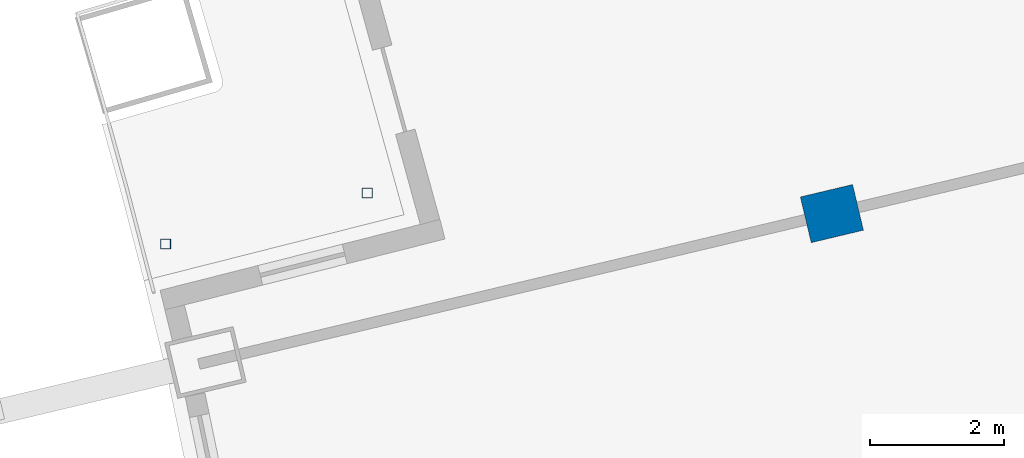
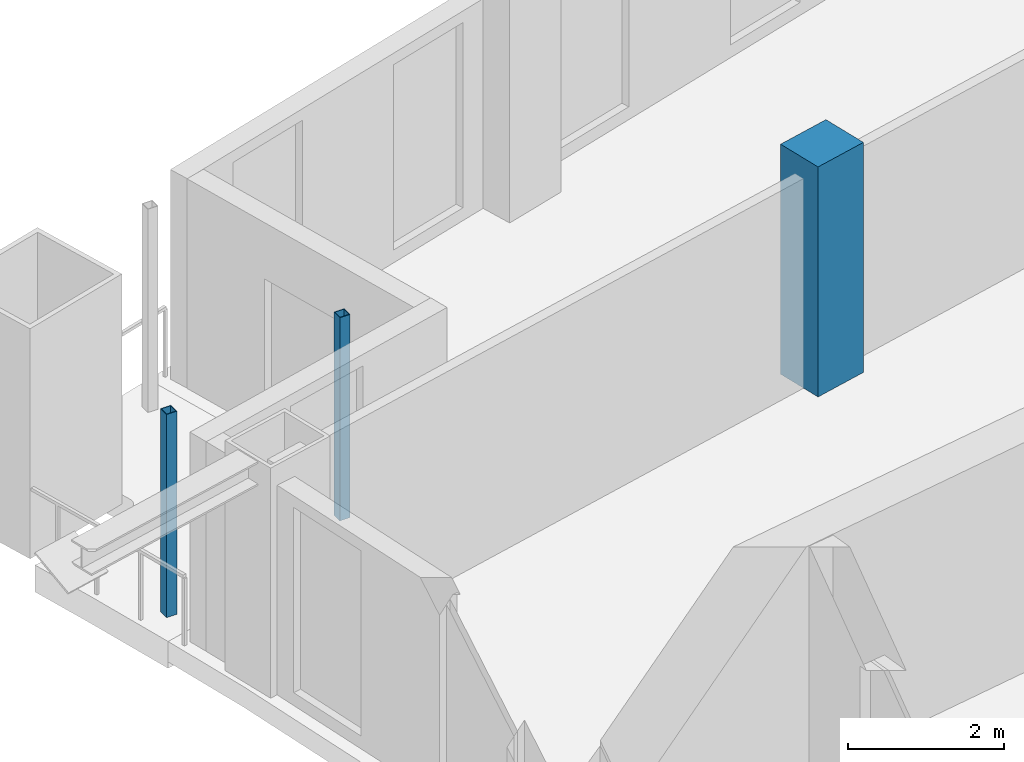
# One storey, part 5 of 17: 3 columns.
"""IFC4 building model written with IfcOpenShell, lengths in metres."""

from ifc_helpers import new_model, si_unit, direction, frame, origin, origin_2d, place, context, subcontext, project, spatial, rectangle, hollow_rectangle, extrude, material, material_profile, profile_set, type_object, element, save


model = new_model("IFC4")

# Units and contexts
model_context = context("Model", 3, precision=1e-05, world=origin(), true_north=direction((0.0, 1.0)))
body_context = subcontext(model_context, "Body", "Model", "MODEL_VIEW")
ifc_project = project(units=[si_unit("LENGTHUNIT", "METRE"), si_unit("AREAUNIT", "SQUARE_METRE"), si_unit("VOLUMEUNIT", "CUBIC_METRE"), si_unit("PLANEANGLEUNIT", "RADIAN"), si_unit("MASSUNIT", "GRAM", prefix="KILO")], contexts=[model_context])

# Site, building, storey
site_placement = place(None, origin())
site = spatial("IfcSite", under=ifc_project, at=site_placement, CompositionType="ELEMENT")
building_placement = place(site_placement, origin())
building = spatial("IfcBuilding", under=site, at=building_placement, Name="Alderwake Tower", CompositionType="ELEMENT")
storey_placement = place(building_placement, frame((0.0, 0.0, 218.0)))
storey = spatial("IfcBuildingStorey", under=building, at=storey_placement, Name="L54", CompositionType="ELEMENT", Elevation=218.0)

# Columns
ifc_material_1 = material(Name="Concrete C70/85", Category="concrete")
ifc_material_profile_1 = material_profile(ifc_material_1, rectangle(XDim=0.699951171875, YDim=0.800048828125, at=origin_2d()), Name="RC 800X700")
ifc_profile_set_1 = profile_set([ifc_material_profile_1], Name="Concrete C70/85")
column_type_1 = type_object("IfcColumnType", Name="Interior column Z4", PredefinedType="COLUMN", material=ifc_profile_set_1)
column_placement = place(storey_placement, frame((23.322021484375, 85.555908203125, 0.0), z_axis=(0.0, 0.0, 1.0), x_axis=(-0.231221547198, 0.972901123502, 0.0)))
element("IfcColumn", 1, at=column_placement, inside=storey, type_object=column_type_1, Name="Column R11-C1", PredefinedType="COLUMN", context=body_context, shape_type="SweptSolid", body=[
    extrude(rectangle(XDim=0.699951171875, YDim=0.800048828125, at=origin_2d()), origin(), (0.0, 0.0, 1.0), 3.60009765625),
])
ifc_material_2 = material(Name="Steel ASTM A500 Grade C", Category="steel")
ifc_material_profile_2 = material_profile(ifc_material_2, hollow_rectangle(XDim=0.15234375, YDim=0.15234375, WallThickness=0.0087890625, at=origin_2d()), Name="HSS6X6X3/8")
ifc_profile_set_2 = profile_set([ifc_material_profile_2], Name="Steel ASTM A500 Grade C")
column_type_2 = type_object("IfcColumnType", Name="Light post HSS6X6X3/8", PredefinedType="COLUMN", material=ifc_profile_set_2)
for number, where, z_axis, x_axis, name in (
    (2, (13.3896484375, 85.103515625, 0.0), (0.0, 0.0, 1.0), (1.0, 0.0, 0.0), "Terrace post RN1"),
    (3, (16.39501953125, 85.864013671875, 0.0), (0.0, 0.0, 1.0), (1.0, 0.0, 0.0), "Terrace post RN3"),
):
    element("IfcColumn", number, at=place(storey_placement, frame(where, z_axis=z_axis, x_axis=x_axis)), inside=storey, type_object=column_type_2, Name=name, PredefinedType="COLUMN", context=body_context, shape_type="SweptSolid", body=[
        extrude(hollow_rectangle(XDim=0.15234375, YDim=0.15234375, WallThickness=0.0087890625, at=origin_2d()), origin(), (0.0, 0.0, 1.0), 3.179931640625),
    ])

save(model, "model.ifc")
